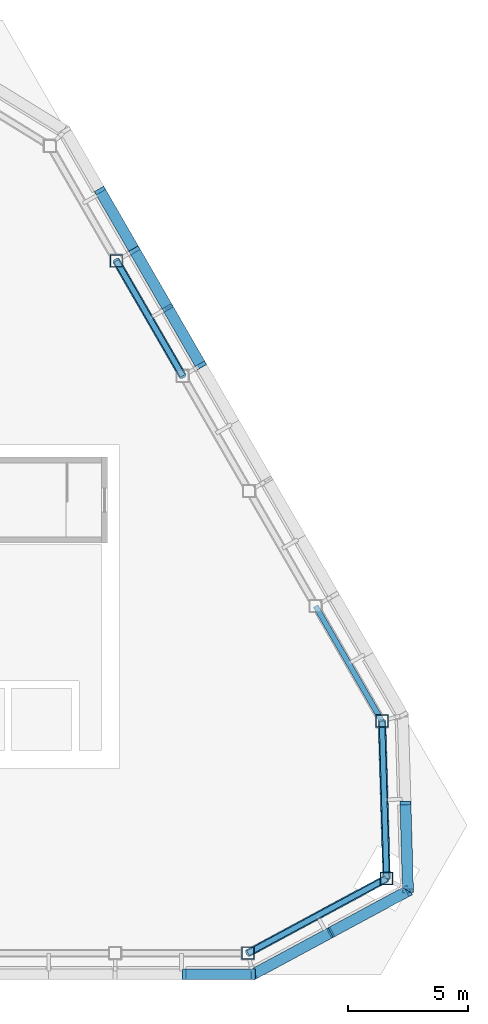
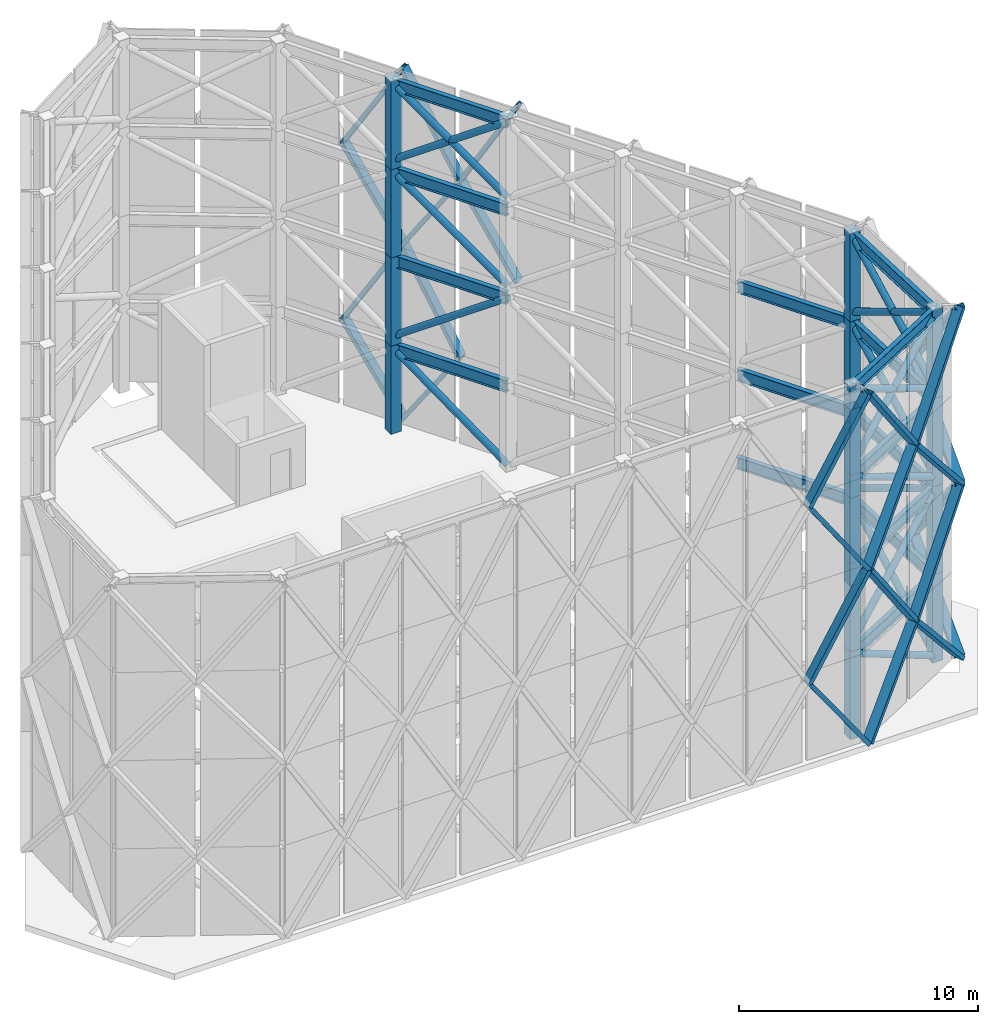
# One storey, part 4 of 12: 57 members, 15 beams.
"""IFC4 building model written with IfcOpenShell, lengths in metres."""

from ifc_helpers import new_model, si_unit, direction, frame, origin, origin_2d, place, context, subcontext, project, spatial, hollow_rectangle, hollow_circle, i_section, extrude, material, material_profile, profile_set, type_object, element, save


model = new_model("IFC4")

# Units and contexts
model_context = context("Model", 3, precision=1e-05, world=origin(), true_north=direction((0.0, 1.0)))
body_context = subcontext(model_context, "Body", "Model", "MODEL_VIEW")
ifc_project = project(units=[si_unit("LENGTHUNIT", "METRE"), si_unit("AREAUNIT", "SQUARE_METRE"), si_unit("VOLUMEUNIT", "CUBIC_METRE"), si_unit("PLANEANGLEUNIT", "RADIAN"), si_unit("MASSUNIT", "GRAM", prefix="KILO")], contexts=[model_context])

# Site, building, storey
site_placement = place(None, origin())
site = spatial("IfcSite", under=ifc_project, at=site_placement, CompositionType="ELEMENT")
building_placement = place(site_placement, origin())
building = spatial("IfcBuilding", under=site, at=building_placement, Name="Firuza Gate Tower and Library", CompositionType="ELEMENT")
storey_placement = place(building_placement, frame((0.0, 0.0, 339.60009765625)))
storey = spatial("IfcBuildingStorey", under=building, at=storey_placement, Name="Roof", CompositionType="ELEMENT", Elevation=339.60009765625)

# Members
ifc_material_1 = material(Name="Steel S355", Category="steel")
ifc_material_profile_1 = material_profile(ifc_material_1, hollow_rectangle(XDim=0.457275390625, YDim=0.203125, WallThickness=0.01171875, at=origin_2d()))
ifc_profile_set_1 = profile_set([ifc_material_profile_1], Name="Steel S355")
member_type_1 = type_object("IfcMemberType", Name="Crown lattice bar HSS203x457x13", PredefinedType="BRACE", material=ifc_profile_set_1)
member_1_placement = place(storey_placement, frame((86.196533203125, 59.663818359375, 4.198486328125), z_axis=(0.575239922405, 0.0, -0.817984738043), x_axis=(0.0, 1.0, 0.0)))
element("IfcMember", 1, at=member_1_placement, inside=storey, type_object=member_type_1, Name="Crown lattice bar 7.1b", PredefinedType="BRACE", context=body_context, shape_type="SweptSolid", body=[
    extrude(hollow_rectangle(XDim=0.457275390625, YDim=0.203125, WallThickness=0.01171875, at=origin_2d()), origin(), (0.0, 0.0, 1.0), 5.0107421875),
])
member_2_placement = place(storey_placement, frame((86.196533203125, 59.663818359375, 4.198486328125), z_axis=(0.51468166286, 0.0, 0.857381353842), x_axis=(0.0, 1.0, 0.0)))
element("IfcMember", 2, at=member_2_placement, inside=storey, type_object=member_type_1, Name="Crown lattice bar 7.2b", PredefinedType="BRACE", context=body_context, shape_type="SweptSolid", body=[
    extrude(hollow_rectangle(XDim=0.457275390625, YDim=0.203125, WallThickness=0.01171875, at=origin_2d()), origin(), (0.0, 0.0, 1.0), 5.60009765625),
])
member_3_placement = place(storey_placement, frame((86.196533203125, 59.663818359375, 13.198486328125), z_axis=(0.565977324743, 0.0, -0.824420807523), x_axis=(0.0, 1.0, 0.0)))
element("IfcMember", 3, at=member_3_placement, inside=storey, type_object=member_type_1, Name="Crown lattice bar 7.3b", PredefinedType="BRACE", context=body_context, shape_type="SweptSolid", body=[
    extrude(hollow_rectangle(XDim=0.457275390625, YDim=0.203125, WallThickness=0.01171875, at=origin_2d()), origin(), (0.0, 0.0, 1.0), 5.092529296875),
])
member_4_placement = place(storey_placement, frame((86.196533203125, 59.663818359375, 13.198486328125), z_axis=(0.51468166286, 0.0, 0.857381353842), x_axis=(0.0, 1.0, 0.0)))
element("IfcMember", 4, at=member_4_placement, inside=storey, type_object=member_type_1, Name="Crown lattice bar 7.4b", PredefinedType="BRACE", context=body_context, shape_type="SweptSolid", body=[
    extrude(hollow_rectangle(XDim=0.457275390625, YDim=0.203125, WallThickness=0.01171875, at=origin_2d()), origin(), (0.0, 0.0, 1.0), 5.60009765625),
])
member_5_placement = place(storey_placement, frame((89.078857421875, 59.663818359375, 0.099853515625), z_axis=(0.586968702999, 0.31641177607, 0.745218981014), x_axis=(-0.474508656304, 0.880250836462, 0.0)))
element("IfcMember", 5, at=member_5_placement, inside=storey, type_object=member_type_1, Name="Crown lattice bar 8.1a", PredefinedType="BRACE", context=body_context, shape_type="SweptSolid", body=[
    extrude(hollow_rectangle(XDim=0.457275390625, YDim=0.203125, WallThickness=0.01171875, at=origin_2d()), origin(), (0.0, 0.0, 1.0), 5.5),
])
member_6_placement = place(storey_placement, frame((92.30712890625, 61.404052734375, 4.198486328125), z_axis=(0.586947849555, 0.316380072892, -0.7452488654), x_axis=(-0.4744848783, 0.880263653836, 0.0)))
element("IfcMember", 6, at=member_6_placement, inside=storey, type_object=member_type_1, Name="Crown lattice bar 8.1b", PredefinedType="BRACE", context=body_context, shape_type="SweptSolid", body=[
    extrude(hollow_rectangle(XDim=0.457275390625, YDim=0.203125, WallThickness=0.01171875, at=origin_2d()), origin(), (0.0, 0.0, 1.0), 5.499755859375),
])
member_7_placement = place(storey_placement, frame((89.078857421875, 59.663818359375, 9.0), z_axis=(0.534313000708, 0.288027154885, -0.794701186185), x_axis=(-0.474508656304, 0.880250836462, 0.0)))
element("IfcMember", 7, at=member_7_placement, inside=storey, type_object=member_type_1, Name="Crown lattice bar 8.2a", PredefinedType="BRACE", context=body_context, shape_type="SweptSolid", body=[
    extrude(hollow_rectangle(XDim=0.457275390625, YDim=0.203125, WallThickness=0.01171875, at=origin_2d()), origin(), (0.0, 0.0, 1.0), 6.0419921875),
])
member_8_placement = place(storey_placement, frame((92.30712890625, 61.404052734375, 4.198486328125), z_axis=(0.534290346213, 0.287996316553, 0.794727593327), x_axis=(-0.4744848783, 0.880263653836, 0.0)))
element("IfcMember", 8, at=member_8_placement, inside=storey, type_object=member_type_1, Name="Crown lattice bar 8.2b", PredefinedType="BRACE", context=body_context, shape_type="SweptSolid", body=[
    extrude(hollow_rectangle(XDim=0.457275390625, YDim=0.203125, WallThickness=0.01171875, at=origin_2d()), origin(), (0.0, 0.0, 1.0), 6.041748046875),
])
member_9_placement = place(storey_placement, frame((89.078857421875, 59.663818359375, 9.0), z_axis=(0.579091822654, 0.312165659221, 0.75313030887), x_axis=(-0.474508656304, 0.880250836462, 0.0)))
element("IfcMember", 9, at=member_9_placement, inside=storey, type_object=member_type_1, Name="Crown lattice bar 8.3a", PredefinedType="BRACE", context=body_context, shape_type="SweptSolid", body=[
    extrude(hollow_rectangle(XDim=0.457275390625, YDim=0.203125, WallThickness=0.01171875, at=origin_2d()), origin(), (0.0, 0.0, 1.0), 5.57470703125),
])
member_10_placement = place(storey_placement, frame((92.30712890625, 61.404052734375, 13.198486328125), z_axis=(0.579070629976, 0.312134047787, -0.753159705316), x_axis=(-0.4744848783, 0.880263653836, 0.0)))
element("IfcMember", 10, at=member_10_placement, inside=storey, type_object=member_type_1, Name="Crown lattice bar 8.3b", PredefinedType="BRACE", context=body_context, shape_type="SweptSolid", body=[
    extrude(hollow_rectangle(XDim=0.457275390625, YDim=0.203125, WallThickness=0.01171875, at=origin_2d()), origin(), (0.0, 0.0, 1.0), 5.574462890625),
])
member_11_placement = place(storey_placement, frame((89.078857421875, 59.663818359375, 18.0), z_axis=(0.534313000708, 0.288027154885, -0.794701186185), x_axis=(-0.474508656304, 0.880250836462, 0.0)))
element("IfcMember", 11, at=member_11_placement, inside=storey, type_object=member_type_1, Name="Crown lattice bar 8.4a", PredefinedType="BRACE", context=body_context, shape_type="SweptSolid", body=[
    extrude(hollow_rectangle(XDim=0.457275390625, YDim=0.203125, WallThickness=0.01171875, at=origin_2d()), origin(), (0.0, 0.0, 1.0), 6.0419921875),
])
member_12_placement = place(storey_placement, frame((92.30712890625, 61.404052734375, 13.198486328125), z_axis=(0.534290346213, 0.287996316553, 0.794727593327), x_axis=(-0.4744848783, 0.880263653836, 0.0)))
element("IfcMember", 12, at=member_12_placement, inside=storey, type_object=member_type_1, Name="Crown lattice bar 8.4b", PredefinedType="BRACE", context=body_context, shape_type="SweptSolid", body=[
    extrude(hollow_rectangle(XDim=0.457275390625, YDim=0.203125, WallThickness=0.01171875, at=origin_2d()), origin(), (0.0, 0.0, 1.0), 6.041748046875),
])
member_13_placement = place(storey_placement, frame((95.53515625, 63.14404296875, 0.099853515625), z_axis=(-0.01948745394, 0.666524193417, 0.745228648623), x_axis=(-0.999572860194, -0.029224940768, 0.0)))
element("IfcMember", 13, at=member_13_placement, inside=storey, type_object=member_type_1, Name="Crown lattice bar 9.1a", PredefinedType="BRACE", context=body_context, shape_type="SweptSolid", body=[
    extrude(hollow_rectangle(XDim=0.457275390625, YDim=0.203125, WallThickness=0.01171875, at=origin_2d()), origin(), (0.0, 0.0, 1.0), 5.499755859375),
])
member_14_placement = place(storey_placement, frame((95.53515625, 63.14404296875, 9.0), z_axis=(-0.017739236844, 0.606730390014, -0.794709728964), x_axis=(-0.999572860194, -0.029224940768, 0.0)))
element("IfcMember", 14, at=member_14_placement, inside=storey, type_object=member_type_1, Name="Crown lattice bar 9.2a", PredefinedType="BRACE", context=body_context, shape_type="SweptSolid", body=[
    extrude(hollow_rectangle(XDim=0.457275390625, YDim=0.203125, WallThickness=0.01171875, at=origin_2d()), origin(), (0.0, 0.0, 1.0), 6.041748046875),
])
member_15_placement = place(storey_placement, frame((95.53515625, 63.14404296875, 9.0), z_axis=(-0.019225933615, 0.65757948345, 0.753139818641), x_axis=(-0.999572860194, -0.029224940768, 0.0)))
element("IfcMember", 15, at=member_15_placement, inside=storey, type_object=member_type_1, Name="Crown lattice bar 9.3a", PredefinedType="BRACE", context=body_context, shape_type="SweptSolid", body=[
    extrude(hollow_rectangle(XDim=0.457275390625, YDim=0.203125, WallThickness=0.01171875, at=origin_2d()), origin(), (0.0, 0.0, 1.0), 5.57470703125),
])
member_16_placement = place(storey_placement, frame((95.53515625, 63.14404296875, 18.0), z_axis=(-0.017739236844, 0.606730390014, -0.794709728964), x_axis=(-0.999572860194, -0.029224940768, 0.0)))
element("IfcMember", 16, at=member_16_placement, inside=storey, type_object=member_type_1, Name="Crown lattice bar 9.4a", PredefinedType="BRACE", context=body_context, shape_type="SweptSolid", body=[
    extrude(hollow_rectangle(XDim=0.457275390625, YDim=0.203125, WallThickness=0.01171875, at=origin_2d()), origin(), (0.0, 0.0, 1.0), 6.041748046875),
])
member_17_placement = place(storey_placement, frame((85.510009765625, 87.46826171875, 4.198486328125), z_axis=(-0.280077823985, 0.485103080972, -0.828390857834), x_axis=(-0.86602275259, -0.500004591975, 0.0)))
element("IfcMember", 17, at=member_17_placement, inside=storey, type_object=member_type_1, Name="Crown lattice bar 13.1b", PredefinedType="BRACE", context=body_context, shape_type="SweptSolid", body=[
    extrude(hollow_rectangle(XDim=0.457275390625, YDim=0.203125, WallThickness=0.01171875, at=origin_2d()), origin(), (0.0, 0.0, 1.0), 4.94775390625),
])
member_18_placement = place(storey_placement, frame((85.510009765625, 87.46826171875, 4.198486328125), z_axis=(-0.249955196291, 0.432929798228, 0.866079782499), x_axis=(-0.86602275259, -0.500004591975, 0.0)))
element("IfcMember", 18, at=member_18_placement, inside=storey, type_object=member_type_1, Name="Crown lattice bar 13.2b", PredefinedType="BRACE", context=body_context, shape_type="SweptSolid", body=[
    extrude(hollow_rectangle(XDim=0.457275390625, YDim=0.203125, WallThickness=0.01171875, at=origin_2d()), origin(), (0.0, 0.0, 1.0), 5.5439453125),
])
for number, where, z_axis, x_axis, name in (
    (19, (86.895751953125, 85.068115234375, 9.0), (-0.275455337483, 0.477096797533, 0.834567554387), (-0.86602275259, -0.500004591975, 0.0), "Crown lattice bar 13.3a"),
    (20, (85.510009765625, 87.46826171875, 13.198486328125), (-0.275455337483, 0.477096797533, -0.834567554387), (-0.86602275259, -0.500004591975, 0.0), "Crown lattice bar 13.3b"),
):
    element("IfcMember", number, at=place(storey_placement, frame(where, z_axis=z_axis, x_axis=x_axis)), inside=storey, type_object=member_type_1, Name=name, PredefinedType="BRACE", context=body_context, shape_type="SweptSolid", body=[
        extrude(hollow_rectangle(XDim=0.457275390625, YDim=0.203125, WallThickness=0.01171875, at=origin_2d()), origin(), (0.0, 0.0, 1.0), 5.03076171875),
    ])
for number, where, z_axis, x_axis, name in (
    (21, (86.895751953125, 85.068115234375, 18.0), (-0.249955196291, 0.432929798228, -0.866079782499), (-0.86602275259, -0.500004591975, 0.0), "Crown lattice bar 13.4a"),
    (22, (85.510009765625, 87.46826171875, 13.198486328125), (-0.249955196291, 0.432929798228, 0.866079782499), (-0.86602275259, -0.500004591975, 0.0), "Crown lattice bar 13.4b"),
):
    element("IfcMember", number, at=place(storey_placement, frame(where, z_axis=z_axis, x_axis=x_axis)), inside=storey, type_object=member_type_1, Name=name, PredefinedType="BRACE", context=body_context, shape_type="SweptSolid", body=[
        extrude(hollow_rectangle(XDim=0.457275390625, YDim=0.203125, WallThickness=0.01171875, at=origin_2d()), origin(), (0.0, 0.0, 1.0), 5.5439453125),
    ])
member_19_placement = place(storey_placement, frame((84.124267578125, 89.868408203125, 0.099853515625), z_axis=(-0.287622027122, 0.498161545874, 0.817990613471), x_axis=(-0.866019137337, -0.500010853648, 0.0)))
element("IfcMember", 23, at=member_19_placement, inside=storey, type_object=member_type_1, Name="Crown lattice bar 14.1a", PredefinedType="BRACE", context=body_context, shape_type="SweptSolid", body=[
    extrude(hollow_rectangle(XDim=0.457275390625, YDim=0.203125, WallThickness=0.01171875, at=origin_2d()), origin(), (0.0, 0.0, 1.0), 5.010498046875),
])
member_20_placement = place(storey_placement, frame((84.124267578125, 89.868408203125, 9.0), z_axis=(-0.257342311156, 0.445717057303, -0.85738628384), x_axis=(-0.866019137337, -0.500010853648, 0.0)))
element("IfcMember", 24, at=member_20_placement, inside=storey, type_object=member_type_1, Name="Crown lattice bar 14.2a", PredefinedType="BRACE", context=body_context, shape_type="SweptSolid", body=[
    extrude(hollow_rectangle(XDim=0.457275390625, YDim=0.203125, WallThickness=0.01171875, at=origin_2d()), origin(), (0.0, 0.0, 1.0), 5.60009765625),
])
member_21_placement = place(storey_placement, frame((84.124267578125, 89.868408203125, 9.0), z_axis=(-0.282990630091, 0.490139963079, 0.82442654001), x_axis=(-0.866019137337, -0.500010853648, 0.0)))
element("IfcMember", 25, at=member_21_placement, inside=storey, type_object=member_type_1, Name="Crown lattice bar 14.3a", PredefinedType="BRACE", context=body_context, shape_type="SweptSolid", body=[
    extrude(hollow_rectangle(XDim=0.457275390625, YDim=0.203125, WallThickness=0.01171875, at=origin_2d()), origin(), (0.0, 0.0, 1.0), 5.092529296875),
])
member_22_placement = place(storey_placement, frame((84.124267578125, 89.868408203125, 18.0), z_axis=(-0.257342311156, 0.445717057303, -0.85738628384), x_axis=(-0.866019137337, -0.500010853648, 0.0)))
element("IfcMember", 26, at=member_22_placement, inside=storey, type_object=member_type_1, Name="Crown lattice bar 14.4a", PredefinedType="BRACE", context=body_context, shape_type="SweptSolid", body=[
    extrude(hollow_rectangle(XDim=0.457275390625, YDim=0.203125, WallThickness=0.01171875, at=origin_2d()), origin(), (0.0, 0.0, 1.0), 5.60009765625),
])
ifc_material_2 = material(Name="Steel S355", Category="steel")
ifc_material_profile_2 = material_profile(ifc_material_2, hollow_circle(Radius=0.161865234375, WallThickness=0.01171875, at=origin_2d()))
ifc_profile_set_2 = profile_set([ifc_material_profile_2], Name="Steel S355")
member_type_2 = type_object("IfcMemberType", Name="HSS324x13 CROWN FRAME brace", PredefinedType="BRACE", material=ifc_profile_set_2)
for number, where, z_axis, x_axis, name in (
    (27, (94.64111328125, 63.66015625, 0.161865234375), (-0.750034656205, -0.404286123833, 0.523450804343), (0.474483099282, -0.880264612771, 0.0), "CROWN FRAME brace tier 1 8"),
    (28, (94.64111328125, 63.66015625, 0.161865234375), (-0.024884028939, 0.851692298383, 0.523451061685), (-0.999573451893, -0.029204696052, 0.0), "CROWN FRAME brace tier 1 9"),
):
    element("IfcMember", number, at=place(storey_placement, frame(where, z_axis=z_axis, x_axis=x_axis)), inside=storey, type_object=member_type_2, Name=name, PredefinedType="BRACE", context=body_context, shape_type="SweptSolid", body=[
        extrude(hollow_circle(Radius=0.161865234375, WallThickness=0.01171875, at=origin_2d()), origin(), (0.0, 0.0, 1.0), 7.711669921875),
    ])
member_23_placement = place(storey_placement, frame((86.134765625, 84.62890625, 0.161865234375), z_axis=(-0.404154299995, 0.700068879086, 0.588695903103), x_axis=(-0.866041824761, -0.499971556956, 0.0)))
element("IfcMember", 29, at=member_23_placement, inside=storey, type_object=member_type_2, Name="CROWN FRAME brace tier 1 13", PredefinedType="BRACE", context=body_context, shape_type="SweptSolid", body=[
    extrude(hollow_circle(Radius=0.161865234375, WallThickness=0.01171875, at=origin_2d()), origin(), (0.0, 0.0, 1.0), 6.85693359375),
])
for number, where, z_axis, x_axis, name in (
    (30, (88.857177734375, 60.54248046875, 4.801513671875), (0.757120537798, 0.408105578814, 0.510115994442), (-0.474483099282, 0.880264612771, 0.0), "CROWN FRAME brace tier 2 8"),
    (31, (94.44921875, 70.22802734375, 4.801513671875), (0.025119118688, -0.859738588975, 0.51011624999), (0.999573451893, 0.029204696052, 0.0), "CROWN FRAME brace tier 2 9"),
):
    element("IfcMember", number, at=place(storey_placement, frame(where, z_axis=z_axis, x_axis=x_axis)), inside=storey, type_object=member_type_2, Name=name, PredefinedType="BRACE", context=body_context, shape_type="SweptSolid", body=[
        extrude(hollow_circle(Radius=0.161865234375, WallThickness=0.01171875, at=origin_2d()), origin(), (0.0, 0.0, 1.0), 7.639404296875),
    ])
member_24_placement = place(storey_placement, frame((83.363525390625, 89.42919921875, 4.801513671875), z_axis=(0.409001922628, -0.708465844658, 0.575146567615), x_axis=(0.866041824761, 0.499971556956, 0.0)))
element("IfcMember", 32, at=member_24_placement, inside=storey, type_object=member_type_2, Name="CROWN FRAME brace tier 2 13", PredefinedType="BRACE", context=body_context, shape_type="SweptSolid", body=[
    extrude(hollow_circle(Radius=0.161865234375, WallThickness=0.01171875, at=origin_2d()), origin(), (0.0, 0.0, 1.0), 6.775634765625),
])
for number, where, z_axis, x_axis, name in (
    (33, (94.64111328125, 63.66015625, 9.301513671875), (-0.757120537798, -0.408105578814, 0.510115994442), (0.474483099282, -0.880264612771, 0.0), "CROWN FRAME brace tier 3 8"),
    (34, (94.64111328125, 63.66015625, 9.301513671875), (-0.025119118688, 0.859738588975, 0.51011624999), (-0.999573451893, -0.029204696052, 0.0), "CROWN FRAME brace tier 3 9"),
):
    element("IfcMember", number, at=place(storey_placement, frame(where, z_axis=z_axis, x_axis=x_axis)), inside=storey, type_object=member_type_2, Name=name, PredefinedType="BRACE", context=body_context, shape_type="SweptSolid", body=[
        extrude(hollow_circle(Radius=0.161865234375, WallThickness=0.01171875, at=origin_2d()), origin(), (0.0, 0.0, 1.0), 7.639404296875),
    ])
member_25_placement = place(storey_placement, frame((86.134765625, 84.62890625, 9.301513671875), z_axis=(-0.409001922628, 0.708465844658, 0.575146567615), x_axis=(-0.866041824761, -0.499971556956, 0.0)))
element("IfcMember", 35, at=member_25_placement, inside=storey, type_object=member_type_2, Name="CROWN FRAME brace tier 3 13", PredefinedType="BRACE", context=body_context, shape_type="SweptSolid", body=[
    extrude(hollow_circle(Radius=0.161865234375, WallThickness=0.01171875, at=origin_2d()), origin(), (0.0, 0.0, 1.0), 6.775634765625),
])
for number, where, z_axis, x_axis, name in (
    (36, (88.857177734375, 60.54248046875, 13.801513671875), (0.757120537798, 0.408105578814, 0.510115994442), (-0.474483099282, 0.880264612771, 0.0), "CROWN FRAME brace tier 4 8"),
    (37, (94.64111328125, 63.66015625, 13.801513671875), (-0.757120537798, -0.408105578814, 0.510115994442), (0.474483099282, -0.880264612771, 0.0), "CROWN FRAME counter brace tier 4 8"),
    (38, (94.44921875, 70.22802734375, 13.801513671875), (0.025119118688, -0.859738588975, 0.51011624999), (0.999573451893, 0.029204696052, 0.0), "CROWN FRAME brace tier 4 9"),
    (39, (94.64111328125, 63.66015625, 13.801513671875), (-0.025119118688, 0.859738588975, 0.51011624999), (-0.999573451893, -0.029204696052, 0.0), "CROWN FRAME counter brace tier 4 9"),
):
    element("IfcMember", number, at=place(storey_placement, frame(where, z_axis=z_axis, x_axis=x_axis)), inside=storey, type_object=member_type_2, Name=name, PredefinedType="BRACE", context=body_context, shape_type="SweptSolid", body=[
        extrude(hollow_circle(Radius=0.161865234375, WallThickness=0.01171875, at=origin_2d()), origin(), (0.0, 0.0, 1.0), 7.639404296875),
    ])
for number, where, z_axis, x_axis, name in (
    (40, (83.363525390625, 89.42919921875, 13.801513671875), (0.409001922628, -0.708465844658, 0.575146567615), (0.866041824761, 0.499971556956, 0.0), "CROWN FRAME brace tier 4 13"),
    (41, (86.134765625, 84.62890625, 13.801513671875), (-0.409001922628, 0.708465844658, 0.575146567615), (-0.866041824761, -0.499971556956, 0.0), "CROWN FRAME counter brace tier 4 13"),
):
    element("IfcMember", number, at=place(storey_placement, frame(where, z_axis=z_axis, x_axis=x_axis)), inside=storey, type_object=member_type_2, Name=name, PredefinedType="BRACE", context=body_context, shape_type="SweptSolid", body=[
        extrude(hollow_circle(Radius=0.161865234375, WallThickness=0.01171875, at=origin_2d()), origin(), (0.0, 0.0, 1.0), 6.775634765625),
    ])
ifc_material_3 = material(Name="Steel S355", Category="steel")
ifc_material_profile_3 = material_profile(ifc_material_3, hollow_rectangle(XDim=0.508056640625, YDim=0.508056640625, WallThickness=0.014892578125, at=origin_2d()))
ifc_profile_set_3 = profile_set([ifc_material_profile_3], Name="Steel S355")
member_type_3 = type_object("IfcMemberType", Name="HSS508x508x16 CROWN FRAME post", PredefinedType="POST", material=ifc_profile_set_3)
member_26_placement = place(storey_placement, frame((88.857177734375, 60.54248046875, -0.00048828125), z_axis=(0.0, 0.0, 1.0), x_axis=(1.0, 0.0, 0.0)))
element("IfcMember", 42, at=member_26_placement, inside=storey, type_object=member_type_3, Name="CROWN FRAME post S6 tier 1", PredefinedType="POST", context=body_context, shape_type="SweptSolid", body=[
    extrude(hollow_rectangle(XDim=0.508056640625, YDim=0.508056640625, WallThickness=0.014892578125, at=origin_2d()), origin(), (0.0, 0.0, 1.0), 4.50048828125),
])
for number, where, z_axis, x_axis, name in (
    (43, (88.857177734375, 60.54248046875, 4.5), (0.0, 0.0, 1.0), (1.0, 0.0, 0.0), "CROWN FRAME post S6 tier 2"),
    (44, (88.857177734375, 60.54248046875, 9.0), (0.0, 0.0, 1.0), (1.0, 0.0, 0.0), "CROWN FRAME post S6 tier 3"),
    (45, (88.857177734375, 60.54248046875, 13.5), (0.0, 0.0, 1.0), (1.0, 0.0, 0.0), "CROWN FRAME post S6 tier 4"),
):
    element("IfcMember", number, at=place(storey_placement, frame(where, z_axis=z_axis, x_axis=x_axis)), inside=storey, type_object=member_type_3, Name=name, PredefinedType="POST", context=body_context, shape_type="SweptSolid", body=[
        extrude(hollow_rectangle(XDim=0.508056640625, YDim=0.508056640625, WallThickness=0.014892578125, at=origin_2d()), origin(), (0.0, 0.0, 1.0), 4.5),
    ])
member_27_placement = place(storey_placement, frame((94.64111328125, 63.66015625, -0.00048828125), z_axis=(0.0, 0.0, 1.0), x_axis=(1.0, 0.0, 0.0)))
element("IfcMember", 46, at=member_27_placement, inside=storey, type_object=member_type_3, Name="CROWN FRAME post mcSE tier 1", PredefinedType="POST", context=body_context, shape_type="SweptSolid", body=[
    extrude(hollow_rectangle(XDim=0.508056640625, YDim=0.508056640625, WallThickness=0.014892578125, at=origin_2d()), origin(), (0.0, 0.0, 1.0), 4.50048828125),
])
for number, where, z_axis, x_axis, name in (
    (47, (94.64111328125, 63.66015625, 4.5), (0.0, 0.0, 1.0), (1.0, 0.0, 0.0), "CROWN FRAME post mcSE tier 2"),
    (48, (94.64111328125, 63.66015625, 9.0), (0.0, 0.0, 1.0), (1.0, 0.0, 0.0), "CROWN FRAME post mcSE tier 3"),
    (49, (94.64111328125, 63.66015625, 13.5), (0.0, 0.0, 1.0), (1.0, 0.0, 0.0), "CROWN FRAME post mcSE tier 4"),
):
    element("IfcMember", number, at=place(storey_placement, frame(where, z_axis=z_axis, x_axis=x_axis)), inside=storey, type_object=member_type_3, Name=name, PredefinedType="POST", context=body_context, shape_type="SweptSolid", body=[
        extrude(hollow_rectangle(XDim=0.508056640625, YDim=0.508056640625, WallThickness=0.014892578125, at=origin_2d()), origin(), (0.0, 0.0, 1.0), 4.5),
    ])
member_28_placement = place(storey_placement, frame((94.44921875, 70.22802734375, -0.00048828125), z_axis=(0.0, 0.0, 1.0), x_axis=(1.0, 0.0, 0.0)))
element("IfcMember", 50, at=member_28_placement, inside=storey, type_object=member_type_3, Name="CROWN FRAME post E1 tier 1", PredefinedType="POST", context=body_context, shape_type="SweptSolid", body=[
    extrude(hollow_rectangle(XDim=0.508056640625, YDim=0.508056640625, WallThickness=0.014892578125, at=origin_2d()), origin(), (0.0, 0.0, 1.0), 4.50048828125),
])
for number, where, z_axis, x_axis, name in (
    (51, (94.44921875, 70.22802734375, 4.5), (0.0, 0.0, 1.0), (1.0, 0.0, 0.0), "CROWN FRAME post E1 tier 2"),
    (52, (94.44921875, 70.22802734375, 9.0), (0.0, 0.0, 1.0), (1.0, 0.0, 0.0), "CROWN FRAME post E1 tier 3"),
    (53, (94.44921875, 70.22802734375, 13.5), (0.0, 0.0, 1.0), (1.0, 0.0, 0.0), "CROWN FRAME post E1 tier 4"),
):
    element("IfcMember", number, at=place(storey_placement, frame(where, z_axis=z_axis, x_axis=x_axis)), inside=storey, type_object=member_type_3, Name=name, PredefinedType="POST", context=body_context, shape_type="SweptSolid", body=[
        extrude(hollow_rectangle(XDim=0.508056640625, YDim=0.508056640625, WallThickness=0.014892578125, at=origin_2d()), origin(), (0.0, 0.0, 1.0), 4.5),
    ])
member_29_placement = place(storey_placement, frame((83.363525390625, 89.42919921875, -0.00048828125), z_axis=(0.0, 0.0, 1.0), x_axis=(1.0, 0.0, 0.0)))
element("IfcMember", 54, at=member_29_placement, inside=storey, type_object=member_type_3, Name="CROWN FRAME post E5 tier 1", PredefinedType="POST", context=body_context, shape_type="SweptSolid", body=[
    extrude(hollow_rectangle(XDim=0.508056640625, YDim=0.508056640625, WallThickness=0.014892578125, at=origin_2d()), origin(), (0.0, 0.0, 1.0), 4.50048828125),
])
for number, where, z_axis, x_axis, name in (
    (55, (83.363525390625, 89.42919921875, 4.5), (0.0, 0.0, 1.0), (1.0, 0.0, 0.0), "CROWN FRAME post E5 tier 2"),
    (56, (83.363525390625, 89.42919921875, 9.0), (0.0, 0.0, 1.0), (1.0, 0.0, 0.0), "CROWN FRAME post E5 tier 3"),
    (57, (83.363525390625, 89.42919921875, 13.5), (0.0, 0.0, 1.0), (1.0, 0.0, 0.0), "CROWN FRAME post E5 tier 4"),
):
    element("IfcMember", number, at=place(storey_placement, frame(where, z_axis=z_axis, x_axis=x_axis)), inside=storey, type_object=member_type_3, Name=name, PredefinedType="POST", context=body_context, shape_type="SweptSolid", body=[
        extrude(hollow_rectangle(XDim=0.508056640625, YDim=0.508056640625, WallThickness=0.014892578125, at=origin_2d()), origin(), (0.0, 0.0, 1.0), 4.5),
    ])

# Beams
ifc_material_4 = material(Name="Steel S355", Category="steel")
ifc_material_profile_4 = material_profile(ifc_material_4, i_section(OverallWidth=0.22802734375, OverallDepth=0.60302734375, WebThickness=0.010498046875, FlangeThickness=0.014892578125, at=origin_2d()))
ifc_profile_set_4 = profile_set([ifc_material_profile_4], Name="Steel S355")
beam_type = type_object("IfcBeamType", Name="W610x101 CROWN FRAME ring beam", PredefinedType="BEAM", material=ifc_profile_set_4)
for number, where, z_axis, x_axis, name in (
    (58, (88.857177734375, 60.54248046875, 4.198486328125), (0.880264612771, 0.474483099282, 0.0), (-0.474483099282, 0.880264612771, 0.0), "CROWN FRAME ring beam tier 1 8"),
    (59, (94.64111328125, 63.66015625, 4.198486328125), (-0.029204696052, 0.999573451893, 0.0), (-0.999573451893, -0.029204696052, 0.0), "CROWN FRAME ring beam tier 1 9"),
):
    element("IfcBeam", number, at=place(storey_placement, frame(where, z_axis=z_axis, x_axis=x_axis)), inside=storey, type_object=beam_type, Name=name, PredefinedType="BEAM", context=body_context, shape_type="SweptSolid", body=[
        extrude(i_section(OverallWidth=0.22802734375, OverallDepth=0.60302734375, WebThickness=0.010498046875, FlangeThickness=0.014892578125, at=origin_2d()), origin(), (0.0, 0.0, 1.0), 6.570556640625),
    ])
beam_1_placement = place(storey_placement, frame((94.44921875, 70.22802734375, 4.198486328125), z_axis=(-0.500004591975, 0.86602275259, 0.0), x_axis=(-0.86602275259, -0.500004591975, 0.0)))
element("IfcBeam", 60, at=beam_1_placement, inside=storey, type_object=beam_type, Name="CROWN FRAME ring beam tier 1 10", PredefinedType="BEAM", context=body_context, shape_type="SweptSolid", body=[
    extrude(i_section(OverallWidth=0.22802734375, OverallDepth=0.60302734375, WebThickness=0.010498046875, FlangeThickness=0.014892578125, at=origin_2d()), origin(), (0.0, 0.0, 1.0), 5.54296875),
])
beam_2_placement = place(storey_placement, frame((86.134765625, 84.62890625, 4.198486328125), z_axis=(-0.499971556956, 0.866041824761, 0.0), x_axis=(-0.866041824761, -0.499971556956, 0.0)))
element("IfcBeam", 61, at=beam_2_placement, inside=storey, type_object=beam_type, Name="CROWN FRAME ring beam tier 1 13", PredefinedType="BEAM", context=body_context, shape_type="SweptSolid", body=[
    extrude(i_section(OverallWidth=0.22802734375, OverallDepth=0.60302734375, WebThickness=0.010498046875, FlangeThickness=0.014892578125, at=origin_2d()), origin(), (0.0, 0.0, 1.0), 5.542724609375),
])
for number, where, z_axis, x_axis, name in (
    (62, (88.857177734375, 60.54248046875, 8.698486328125), (0.880264612771, 0.474483099282, 0.0), (-0.474483099282, 0.880264612771, 0.0), "CROWN FRAME ring beam tier 2 8"),
    (63, (94.64111328125, 63.66015625, 8.698486328125), (-0.029204696052, 0.999573451893, 0.0), (-0.999573451893, -0.029204696052, 0.0), "CROWN FRAME ring beam tier 2 9"),
):
    element("IfcBeam", number, at=place(storey_placement, frame(where, z_axis=z_axis, x_axis=x_axis)), inside=storey, type_object=beam_type, Name=name, PredefinedType="BEAM", context=body_context, shape_type="SweptSolid", body=[
        extrude(i_section(OverallWidth=0.22802734375, OverallDepth=0.60302734375, WebThickness=0.010498046875, FlangeThickness=0.014892578125, at=origin_2d()), origin(), (0.0, 0.0, 1.0), 6.570556640625),
    ])
beam_3_placement = place(storey_placement, frame((94.44921875, 70.22802734375, 8.698486328125), z_axis=(-0.500004591975, 0.86602275259, 0.0), x_axis=(-0.86602275259, -0.500004591975, 0.0)))
element("IfcBeam", 64, at=beam_3_placement, inside=storey, type_object=beam_type, Name="CROWN FRAME ring beam tier 2 10", PredefinedType="BEAM", context=body_context, shape_type="SweptSolid", body=[
    extrude(i_section(OverallWidth=0.22802734375, OverallDepth=0.60302734375, WebThickness=0.010498046875, FlangeThickness=0.014892578125, at=origin_2d()), origin(), (0.0, 0.0, 1.0), 5.54296875),
])
beam_4_placement = place(storey_placement, frame((86.134765625, 84.62890625, 8.698486328125), z_axis=(-0.499971556956, 0.866041824761, 0.0), x_axis=(-0.866041824761, -0.499971556956, 0.0)))
element("IfcBeam", 65, at=beam_4_placement, inside=storey, type_object=beam_type, Name="CROWN FRAME ring beam tier 2 13", PredefinedType="BEAM", context=body_context, shape_type="SweptSolid", body=[
    extrude(i_section(OverallWidth=0.22802734375, OverallDepth=0.60302734375, WebThickness=0.010498046875, FlangeThickness=0.014892578125, at=origin_2d()), origin(), (0.0, 0.0, 1.0), 5.542724609375),
])
for number, where, z_axis, x_axis, name in (
    (66, (88.857177734375, 60.54248046875, 13.198486328125), (0.880264612771, 0.474483099282, 0.0), (-0.474483099282, 0.880264612771, 0.0), "CROWN FRAME ring beam tier 3 8"),
    (67, (94.64111328125, 63.66015625, 13.198486328125), (-0.029204696052, 0.999573451893, 0.0), (-0.999573451893, -0.029204696052, 0.0), "CROWN FRAME ring beam tier 3 9"),
):
    element("IfcBeam", number, at=place(storey_placement, frame(where, z_axis=z_axis, x_axis=x_axis)), inside=storey, type_object=beam_type, Name=name, PredefinedType="BEAM", context=body_context, shape_type="SweptSolid", body=[
        extrude(i_section(OverallWidth=0.22802734375, OverallDepth=0.60302734375, WebThickness=0.010498046875, FlangeThickness=0.014892578125, at=origin_2d()), origin(), (0.0, 0.0, 1.0), 6.570556640625),
    ])
beam_5_placement = place(storey_placement, frame((94.44921875, 70.22802734375, 13.198486328125), z_axis=(-0.500004591975, 0.86602275259, 0.0), x_axis=(-0.86602275259, -0.500004591975, 0.0)))
element("IfcBeam", 68, at=beam_5_placement, inside=storey, type_object=beam_type, Name="CROWN FRAME ring beam tier 3 10", PredefinedType="BEAM", context=body_context, shape_type="SweptSolid", body=[
    extrude(i_section(OverallWidth=0.22802734375, OverallDepth=0.60302734375, WebThickness=0.010498046875, FlangeThickness=0.014892578125, at=origin_2d()), origin(), (0.0, 0.0, 1.0), 5.54296875),
])
beam_6_placement = place(storey_placement, frame((86.134765625, 84.62890625, 13.198486328125), z_axis=(-0.499971556956, 0.866041824761, 0.0), x_axis=(-0.866041824761, -0.499971556956, 0.0)))
element("IfcBeam", 69, at=beam_6_placement, inside=storey, type_object=beam_type, Name="CROWN FRAME ring beam tier 3 13", PredefinedType="BEAM", context=body_context, shape_type="SweptSolid", body=[
    extrude(i_section(OverallWidth=0.22802734375, OverallDepth=0.60302734375, WebThickness=0.010498046875, FlangeThickness=0.014892578125, at=origin_2d()), origin(), (0.0, 0.0, 1.0), 5.542724609375),
])
for number, where, z_axis, x_axis, name in (
    (70, (88.857177734375, 60.54248046875, 17.698486328125), (0.880264612771, 0.474483099282, 0.0), (-0.474483099282, 0.880264612771, 0.0), "CROWN FRAME ring beam tier 4 8"),
    (71, (94.64111328125, 63.66015625, 17.698486328125), (-0.029204696052, 0.999573451893, 0.0), (-0.999573451893, -0.029204696052, 0.0), "CROWN FRAME ring beam tier 4 9"),
):
    element("IfcBeam", number, at=place(storey_placement, frame(where, z_axis=z_axis, x_axis=x_axis)), inside=storey, type_object=beam_type, Name=name, PredefinedType="BEAM", context=body_context, shape_type="SweptSolid", body=[
        extrude(i_section(OverallWidth=0.22802734375, OverallDepth=0.60302734375, WebThickness=0.010498046875, FlangeThickness=0.014892578125, at=origin_2d()), origin(), (0.0, 0.0, 1.0), 6.570556640625),
    ])
beam_7_placement = place(storey_placement, frame((86.134765625, 84.62890625, 17.698486328125), z_axis=(-0.499971556956, 0.866041824761, 0.0), x_axis=(-0.866041824761, -0.499971556956, 0.0)))
element("IfcBeam", 72, at=beam_7_placement, inside=storey, type_object=beam_type, Name="CROWN FRAME ring beam tier 4 13", PredefinedType="BEAM", context=body_context, shape_type="SweptSolid", body=[
    extrude(i_section(OverallWidth=0.22802734375, OverallDepth=0.60302734375, WebThickness=0.010498046875, FlangeThickness=0.014892578125, at=origin_2d()), origin(), (0.0, 0.0, 1.0), 5.542724609375),
])

save(model, "model.ifc")
